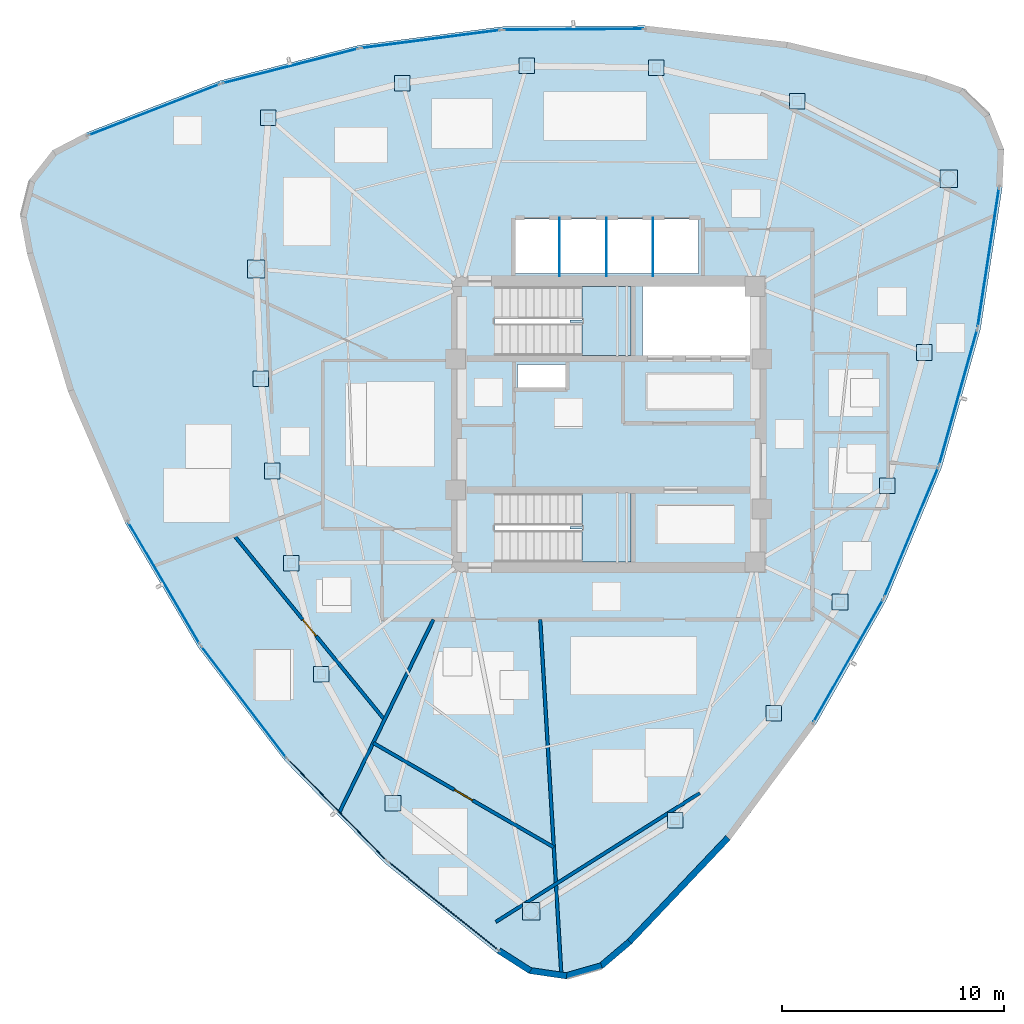
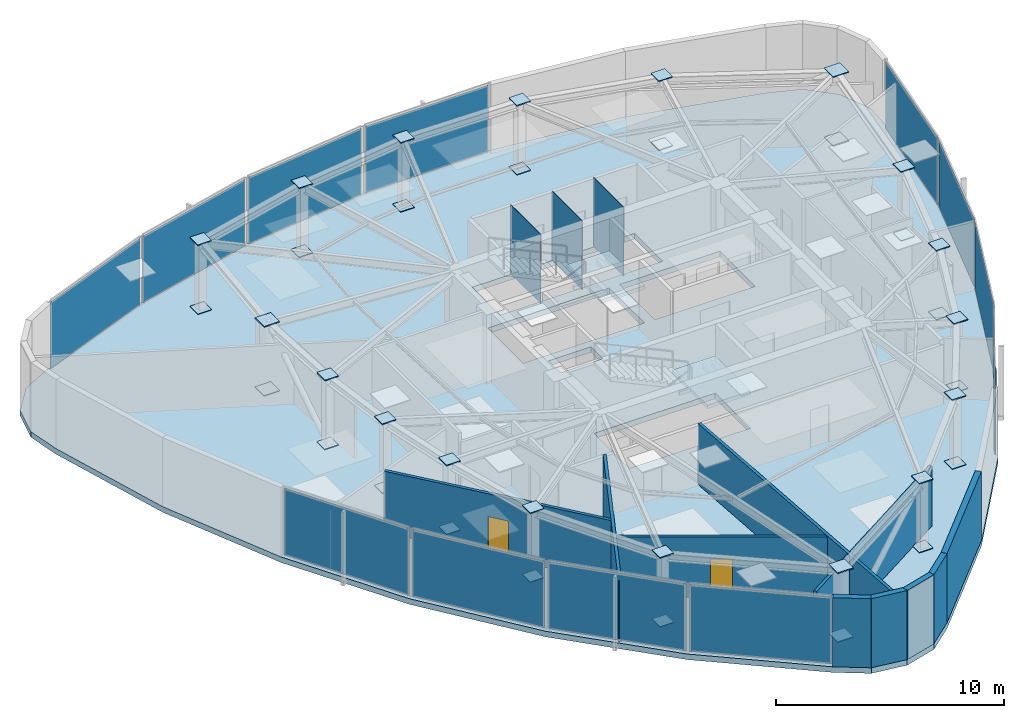
# One storey, part 7 of 11: 51 plates, 10 walls, 3 slabs, 2 doors, 2 openings, 14 elements without a shape of their own.
"""IFC4 building model written with IfcOpenShell, lengths in metres."""

from ifc_helpers import new_model, si_unit, direction, frame, frame_2d, origin, origin_2d, place, context, subcontext, project, spatial, polyline, rectangle, outline, extrude, source, transform, mapped, material, layer, layer_set, type_object, type_shapes, element, fill, aggregate, save


model = new_model("IFC4")

# Units and contexts
model_context = context("Model", 3, precision=1e-05, world=origin(), true_north=direction((0.0, 1.0)))
body_context = subcontext(model_context, "Body", "Model", "MODEL_VIEW")
ifc_project = project(units=[si_unit("LENGTHUNIT", "METRE"), si_unit("AREAUNIT", "SQUARE_METRE"), si_unit("VOLUMEUNIT", "CUBIC_METRE"), si_unit("PLANEANGLEUNIT", "RADIAN"), si_unit("MASSUNIT", "GRAM", prefix="KILO")], contexts=[model_context])

# Site, building, storey
site_placement = place(None, origin())
site = spatial("IfcSite", under=ifc_project, at=site_placement, CompositionType="ELEMENT")
building_placement = place(site_placement, origin())
building = spatial("IfcBuilding", under=site, at=building_placement, Name="Tavelor Broadcast Tower", CompositionType="ELEMENT")
storey_placement = place(building_placement, frame((0.0, 0.0, 313.5)))
storey = spatial("IfcBuildingStorey", under=building, at=storey_placement, Name="L75", CompositionType="ELEMENT", Elevation=313.5)

# Stair, slab
ifc_material_1 = material(Name="Concrete C40/50", Category="concrete")
stair_type = type_object("IfcStairType", Name="Reinforced Concrete Protected Dogleg Stair 1450 mm", PredefinedType="HALF_TURN_STAIR", material=ifc_material_1)
stair_1_placement = place(storey_placement, origin())
stair_1 = element("IfcStair", 1, at=stair_1_placement, inside=storey, type_object=stair_type, Name="L75 Protected Core Exit Stair ST1", PredefinedType="HALF_TURN_STAIR")
ifc_layer_1 = layer(ifc_material_1, 0.199951171875)
ifc_layer_set_1 = layer_set([ifc_layer_1], Name="Concrete C40/50")
slab_type_1 = type_object("IfcSlabType", Name="Reinforced Concrete Stair Half-Landing Slab 200 mm", PredefinedType="LANDING", material=ifc_layer_set_1)
slab_1_placement = place(storey_placement, frame((0.0, 0.0, 1.800048828125)))
slab_1 = element("IfcSlab", 2, at=slab_1_placement, type_object=slab_type_1, Name="ST1 landing 1", PredefinedType="LANDING", context=body_context, shape_type="SweptSolid", body=[
    extrude(outline(polyline([(48.804931640625, 49.590087890625), (48.804931640625, 48.094970703125), (51.0048828125, 48.094970703125), (51.0048828125, 51.205078125), (48.804931640625, 51.205078125), (48.804931640625, 49.7099609375), (48.264892578125, 49.7099609375), (48.264892578125, 49.590087890625), (48.804931640625, 49.590087890625)])), origin(), (0.0, 0.0, 1.0), 0.199951171875),
])
aggregate(stair_1, [slab_1])

stair_2_placement = place(storey_placement, origin())
stair_2 = element("IfcStair", 3, at=stair_2_placement, inside=storey, type_object=stair_type, Name="L75 Protected Core Exit Stair ST2", PredefinedType="HALF_TURN_STAIR")
slab_2_placement = place(storey_placement, frame((0.0, 0.0, 1.800048828125)))
slab_2 = element("IfcSlab", 4, at=slab_2_placement, type_object=slab_type_1, Name="ST2 landing 1", PredefinedType="LANDING", context=body_context, shape_type="SweptSolid", body=[
    extrude(outline(polyline([(48.804931640625, 40.2900390625), (48.804931640625, 38.794921875), (51.0048828125, 38.794921875), (51.0048828125, 41.905029296875), (48.804931640625, 41.905029296875), (48.804931640625, 40.409912109375), (48.264892578125, 40.409912109375), (48.264892578125, 40.2900390625), (48.804931640625, 40.2900390625)])), origin(), (0.0, 0.0, 1.0), 0.199951171875),
])
aggregate(stair_2, [slab_2])

# Slab
ifc_layer_2 = layer(ifc_material_1, 0.300048828125)
ifc_layer_set_2 = layer_set([ifc_layer_2], Name="Concrete C40/50")
slab_type_2 = type_object("IfcSlabType", Name="Tower Composite Floor Slab 300 mm", PredefinedType="FLOOR", material=ifc_layer_set_2)
slab_3_placement = place(storey_placement, frame((0.0, 0.0, -0.300048828125)))
element("IfcSlab", 5, at=slab_3_placement, inside=storey, type_object=slab_type_2, Name="L75 Structural Floor Slab", PredefinedType="FLOOR", context=body_context, shape_type="SweptSolid", body=[
    extrude(outline(polyline([(26.484619140625, 58.1259765625), (24.977783203125, 57.34326171875), (23.926513671875, 56.009765625), (23.51708984375, 54.36181640625), (23.822021484375, 52.691162109375), (25.660400390625, 46.494873046875), (28.235107421875, 40.56640625), (31.508056640625, 34.992919921875), (35.431396484375, 29.856689453125), (39.94775390625, 25.23291015625), (44.990234375, 21.189697265625), (46.421630859375, 20.276123046875), (48.10205078125, 20.032470703125), (49.73388671875, 20.501953125), (51.028076171875, 21.601318359375), (55.475341796875, 26.29150390625), (59.322265625, 31.4853515625), (62.51220703125, 37.106689453125), (64.998779296875, 43.072509765625), (66.744873046875, 49.295654296875), (67.72509765625, 55.68408203125), (67.80078125, 57.380615234375), (67.17138671875, 58.9580078125), (65.948974609375, 60.136474609375), (64.349609375, 60.70751953125), (58.064208984375, 62.213623046875), (51.642822265625, 62.9482421875), (45.1796875, 62.900390625), (38.769775390625, 62.070556640625), (32.50732421875, 60.47119140625), (26.484619140625, 58.1259765625)]), holes=[polyline([(50.99609375, 41.89599609375), (50.99609375, 38.803955078125), (44.85400390625, 38.803955078125), (44.85400390625, 41.89599609375), (50.99609375, 41.89599609375)]), polyline([(48.050048828125, 47.699951171875), (48.050048828125, 46.64990234375), (45.89990234375, 46.64990234375), (45.89990234375, 47.699951171875), (48.050048828125, 47.699951171875)]), polyline([(50.99609375, 51.196044921875), (50.99609375, 48.10400390625), (44.85400390625, 48.10400390625), (44.85400390625, 51.196044921875), (50.99609375, 51.196044921875)]), polyline([(56.60009765625, 48.10009765625), (51.52001953125, 48.10009765625), (51.52001953125, 51.199951171875), (56.60009765625, 51.199951171875), (56.60009765625, 48.10009765625)]), polyline([(54.050048828125, 51.800048828125), (45.800048828125, 51.800048828125), (45.800048828125, 54.25), (54.050048828125, 54.25), (54.050048828125, 51.800048828125)])]), origin(), (0.0, 0.0, 1.0), 0.300048828125),
])

# Plates
ifc_material_2 = material(Name="Steel S460", Category="steel")
ifc_layer_3 = layer(ifc_material_2, 0.050048828125)
ifc_layer_set_3 = layer_set([ifc_layer_3], Name="Steel S460")
plate_type_1 = type_object("IfcPlateType", Name="Tube Hollow-End Cap Plate KN05 700x700x50", PredefinedType="USERDEFINED", material=ifc_layer_set_3)
shared_shape_1 = source(origin(), body_context, "Body", "SweptSolid", [
    extrude(rectangle(XDim=0.699951171875, YDim=0.699951171875, at=origin_2d()), origin(), (0.0, 0.0, 1.0), 0.054931640625),
])
for number, where, z_axis, x_axis, name in (
    (6, (34.341552734375, 47.061279296875, -0.02734375), (0.0, 0.0, 1.0), (1.0, 0.0, 0.0), "L75 Hollow End Cap Plate KN05 #2283"),
    (7, (34.341552734375, 47.061279296875, 3.67236328125), (0.0, 0.0, 1.0), (1.0, 0.0, 0.0), "L75 Hollow End Cap Plate KN05 #2284"),
    (8, (34.85400390625, 42.90185546875, -0.02734375), (0.0, 0.0, 1.0), (1.0, 0.0, 0.0), "L75 Hollow End Cap Plate KN05 #2285"),
    (9, (34.85400390625, 42.90185546875, 3.67236328125), (0.0, 0.0, 1.0), (1.0, 0.0, 0.0), "L75 Hollow End Cap Plate KN05 #2286"),
    (10, (35.716552734375, 38.757080078125, -0.02734375), (0.0, 0.0, 1.0), (1.0, 0.0, 0.0), "L75 Hollow End Cap Plate KN05 #2287"),
    (11, (35.716552734375, 38.757080078125, 3.67236328125), (0.0, 0.0, 1.0), (1.0, 0.0, 0.0), "L75 Hollow End Cap Plate KN05 #2288"),
    (12, (37.068115234375, 33.759521484375, -0.02734375), (0.0, 0.0, 1.0), (1.0, 0.0, 0.0), "L75 Hollow End Cap Plate KN05 #2289"),
    (13, (37.068115234375, 33.759521484375, 3.67236328125), (0.0, 0.0, 1.0), (1.0, 0.0, 0.0), "L75 Hollow End Cap Plate KN05 #2290"),
    (14, (40.29638671875, 27.95361328125, -0.02734375), (0.0, 0.0, 1.0), (1.0, 0.0, 0.0), "L75 Hollow End Cap Plate KN05 #2291"),
    (15, (40.29638671875, 27.95361328125, 3.67236328125), (0.0, 0.0, 1.0), (1.0, 0.0, 0.0), "L75 Hollow End Cap Plate KN05 #2292"),
    (16, (52.992919921875, 27.1767578125, -0.02734375), (0.0, 0.0, 1.0), (1.0, 0.0, 0.0), "L75 Hollow End Cap Plate KN05 #2295"),
    (17, (52.992919921875, 27.1767578125, 3.67236328125), (0.0, 0.0, 1.0), (1.0, 0.0, 0.0), "L75 Hollow End Cap Plate KN05 #2296"),
    (18, (57.431396484375, 31.9921875, -0.02734375), (0.0, 0.0, 1.0), (1.0, 0.0, 0.0), "L75 Hollow End Cap Plate KN05 #2297"),
    (19, (57.431396484375, 31.9921875, 3.67236328125), (0.0, 0.0, 1.0), (1.0, 0.0, 0.0), "L75 Hollow End Cap Plate KN05 #2298"),
    (20, (60.41748046875, 37.00439453125, -0.02734375), (0.0, 0.0, 1.0), (1.0, 0.0, 0.0), "L75 Hollow End Cap Plate KN05 #2299"),
    (21, (60.41748046875, 37.00439453125, 3.67236328125), (0.0, 0.0, 1.0), (1.0, 0.0, 0.0), "L75 Hollow End Cap Plate KN05 #2300"),
    (22, (62.543701171875, 42.240478515625, -0.02734375), (0.0, 0.0, 1.0), (1.0, 0.0, 0.0), "L75 Hollow End Cap Plate KN05 #2301"),
    (23, (62.543701171875, 42.240478515625, 3.67236328125), (0.0, 0.0, 1.0), (1.0, 0.0, 0.0), "L75 Hollow End Cap Plate KN05 #2302"),
    (24, (64.21435546875, 48.2373046875, -0.02734375), (0.0, 0.0, 1.0), (1.0, 0.0, 0.0), "L75 Hollow End Cap Plate KN05 #2303"),
    (25, (64.21435546875, 48.2373046875, 3.67236328125), (0.0, 0.0, 1.0), (1.0, 0.0, 0.0), "L75 Hollow End Cap Plate KN05 #2304"),
    (26, (58.485595703125, 59.55712890625, -0.02734375), (0.0, 0.0, 1.0), (1.0, 0.0, 0.0), "L75 Hollow End Cap Plate KN05 #2307"),
    (27, (58.485595703125, 59.55712890625, 3.67236328125), (0.0, 0.0, 1.0), (1.0, 0.0, 0.0), "L75 Hollow End Cap Plate KN05 #2308"),
    (28, (52.147216796875, 61.05078125, -0.02734375), (0.0, 0.0, 1.0), (1.0, 0.0, 0.0), "L75 Hollow End Cap Plate KN05 #2309"),
    (29, (52.147216796875, 61.05078125, 3.67236328125), (0.0, 0.0, 1.0), (1.0, 0.0, 0.0), "L75 Hollow End Cap Plate KN05 #2310"),
    (30, (46.3154296875, 61.13720703125, -0.02734375), (0.0, 0.0, 1.0), (1.0, 0.0, 0.0), "L75 Hollow End Cap Plate KN05 #2311"),
    (31, (46.3154296875, 61.13720703125, 3.67236328125), (0.0, 0.0, 1.0), (1.0, 0.0, 0.0), "L75 Hollow End Cap Plate KN05 #2312"),
    (32, (40.718017578125, 60.36083984375, -0.02734375), (0.0, 0.0, 1.0), (1.0, 0.0, 0.0), "L75 Hollow End Cap Plate KN05 #2313"),
    (33, (40.718017578125, 60.36083984375, 3.67236328125), (0.0, 0.0, 1.0), (1.0, 0.0, 0.0), "L75 Hollow End Cap Plate KN05 #2314"),
    (34, (34.689208984375, 58.80908203125, -0.02734375), (0.0, 0.0, 1.0), (1.0, 0.0, 0.0), "L75 Hollow End Cap Plate KN05 #2315"),
    (35, (34.689208984375, 58.80908203125, 3.67236328125), (0.0, 0.0, 1.0), (1.0, 0.0, 0.0), "L75 Hollow End Cap Plate KN05 #2316"),
):
    element("IfcPlate", number, at=place(storey_placement, frame(where, z_axis=z_axis, x_axis=x_axis)), inside=storey, type_object=plate_type_1, Name=name, ObjectType="CAP PLATE", PredefinedType="USERDEFINED", context=body_context, shape_type="MappedRepresentation", body=[
        mapped(shared_shape_1, transform((0.0, 0.0, 0.0), scale=1.0)),
    ])
shared_shape_2 = source(origin(), body_context, "Body", "SweptSolid", [
    extrude(rectangle(XDim=0.791015625, YDim=0.791015625, at=origin_2d()), origin(), (0.0, 0.0, 1.0), 0.054931640625),
])
type_shapes(plate_type_1, [shared_shape_1, shared_shape_2])
for number, where, z_axis, x_axis, name in (
    (36, (34.134765625, 51.995849609375, -0.02734375), (0.0, 0.0, 1.0), (1.0, 0.0, 0.0), "L75 Hollow End Cap Plate KN05 #2281"),
    (37, (34.134765625, 51.995849609375, 3.67236328125), (0.0, 0.0, 1.0), (1.0, 0.0, 0.0), "L75 Hollow End Cap Plate KN05 #2282"),
    (38, (46.5146484375, 23.08740234375, -0.02734375), (0.0, 0.0, 1.0), (1.0, 0.0, 0.0), "L75 Hollow End Cap Plate KN05 #2293"),
    (39, (46.5146484375, 23.08740234375, 3.67236328125), (0.0, 0.0, 1.0), (1.0, 0.0, 0.0), "L75 Hollow End Cap Plate KN05 #2294"),
    (40, (65.319580078125, 56.0556640625, -0.02734375), (0.0, 0.0, 1.0), (1.0, 0.0, 0.0), "L75 Hollow End Cap Plate KN05 #2305"),
    (41, (65.319580078125, 56.0556640625, 3.67236328125), (0.0, 0.0, 1.0), (1.0, 0.0, 0.0), "L75 Hollow End Cap Plate KN05 #2306"),
):
    element("IfcPlate", number, at=place(storey_placement, frame(where, z_axis=z_axis, x_axis=x_axis)), inside=storey, type_object=plate_type_1, Name=name, ObjectType="CAP PLATE", PredefinedType="USERDEFINED", context=body_context, shape_type="MappedRepresentation", body=[
        mapped(shared_shape_2, transform((0.0, 0.0, 0.0), scale=1.0)),
    ])
ifc_material_3 = material(Name="Steel S355", Category="steel")
ifc_layer_4 = layer(ifc_material_3, 0.011962890625)
ifc_layer_set_4 = layer_set([ifc_layer_4], Name="Steel S355")
plate_type_2 = type_object("IfcPlateType", Name="Hoistway Steel Separator Screen 12 mm", PredefinedType="SHEET", material=ifc_layer_set_4)
shared_shape_3 = source(origin(), body_context, "Body", "SweptSolid", [
    extrude(rectangle(XDim=0.02001953125, YDim=2.6201171875, at=origin_2d()), origin(), (0.0, 0.0, 1.0), 3.699951171875),
])
type_shapes(plate_type_2, [shared_shape_3])
for number, where, z_axis, x_axis, name in (
    (42, (47.800048828125, 52.989990234375, 0.0), (0.0, 0.0, 1.0), (1.0, 0.0, 0.0), "L75 High-Rise Hoistway Separator Screen 1"),
    (43, (49.89990234375, 52.989990234375, 0.0), (0.0, 0.0, 1.0), (1.0, 0.0, 0.0), "L75 High-Rise Hoistway Separator Screen 2"),
    (44, (52.0, 52.989990234375, 0.0), (0.0, 0.0, 1.0), (1.0, 0.0, 0.0), "L75 High-Rise Hoistway Separator Screen 3"),
):
    element("IfcPlate", number, at=place(storey_placement, frame(where, z_axis=z_axis, x_axis=x_axis)), inside=storey, type_object=plate_type_2, Name=name, PredefinedType="SHEET", context=body_context, shape_type="MappedRepresentation", body=[
        mapped(shared_shape_3, transform((0.0, 0.0, 0.0), scale=1.0)),
    ])

# Curtain wall, plate
ifc_material_4 = material(Name="Architectural Anodized Aluminium", Category="aluminium")
ifc_layer_5 = layer(ifc_material_4, 0.199951171875)
ifc_layer_set_5 = layer_set([ifc_layer_5], Name="Architectural Anodized Aluminium")
curtain_wall_type = type_object("IfcCurtainWallType", Name="Tower High-Zone Triple-Glazed Curtain Wall CW04", PredefinedType="NOTDEFINED", material=ifc_layer_set_5)
curtain_wall_1_placement = place(storey_placement, origin())
curtain_wall_1 = element("IfcCurtainWall", 45, at=curtain_wall_1_placement, inside=storey, type_object=curtain_wall_type, Name="L75 Curtain Wall CW04 Run 829", PredefinedType="NOTDEFINED")
ifc_material_5 = material(Name="High-Altitude Triple Glazing 36 mm", Category="glass")
ifc_layer_6 = layer(ifc_material_5, 0.035888671875)
ifc_layer_set_6 = layer_set([ifc_layer_6], Name="High-Altitude Triple Glazing 36 mm")
plate_type_3 = type_object("IfcPlateType", Name="CW04 Insulated Vision Glazing Panel 36 mm", PredefinedType="CURTAIN_PANEL", material=ifc_layer_set_6)
shared_shape_4 = source(origin(), body_context, "Body", "SweptSolid", [
    extrude(rectangle(XDim=6.291259765625, YDim=0.035888671875, at=origin_2d()), origin(), (0.0, 0.0, 1.0), 3.56005859375),
])
plate_1_placement = place(storey_placement, frame((29.98828125, 37.85693359375, 0.070068359375), z_axis=(0.0, 0.0, 1.0), x_axis=(0.506398915437, -0.862299332276, 0.0)))
plate_1 = element("IfcPlate", 46, at=plate_1_placement, type_object=plate_type_3, Name="CW04 panel 1.1", PredefinedType="CURTAIN_PANEL", context=body_context, shape_type="MappedRepresentation", body=[
    mapped(shared_shape_4, transform((0.0, 0.0, 0.0), scale=1.0)),
])
aggregate(curtain_wall_1, [plate_1])

curtain_wall_2_placement = place(storey_placement, origin())
curtain_wall_2 = element("IfcCurtainWall", 47, at=curtain_wall_2_placement, inside=storey, type_object=curtain_wall_type, Name="L75 Curtain Wall CW04 Run 837", PredefinedType="NOTDEFINED")
plate_2_placement = place(storey_placement, frame((48.419921875, 62.7841796875, 0.070068359375), z_axis=(0.0, 0.0, 1.0), x_axis=(-0.999972610631, -0.00740121536, 0.0)))
plate_2 = element("IfcPlate", 48, at=plate_2_placement, type_object=plate_type_3, Name="CW04 panel 1.1", PredefinedType="CURTAIN_PANEL", context=body_context, shape_type="MappedRepresentation", body=[
    mapped(shared_shape_4, transform((0.0, 0.0, 0.0), scale=1.0)),
])
aggregate(curtain_wall_2, [plate_2])

curtain_wall_3_placement = place(storey_placement, origin())
curtain_wall_3 = element("IfcCurtainWall", 49, at=curtain_wall_3_placement, inside=storey, type_object=curtain_wall_type, Name="L75 Curtain Wall CW04 Run 830", PredefinedType="NOTDEFINED")
shared_shape_5 = source(origin(), body_context, "Body", "SweptSolid", [
    extrude(rectangle(XDim=6.2763671875, YDim=0.035888671875, at=origin_2d()), origin(), (0.0, 0.0, 1.0), 3.56005859375),
])
plate_3_placement = place(storey_placement, frame((33.5810546875, 32.509765625, 0.070068359375), z_axis=(0.0, 0.0, 1.0), x_axis=(0.607041036342, -0.794670485294, 0.0)))
plate_3 = element("IfcPlate", 50, at=plate_3_placement, type_object=plate_type_3, Name="CW04 panel 1.1", PredefinedType="CURTAIN_PANEL", context=body_context, shape_type="MappedRepresentation", body=[
    mapped(shared_shape_5, transform((0.0, 0.0, 0.0), scale=1.0)),
])
aggregate(curtain_wall_3, [plate_3])

curtain_wall_4_placement = place(storey_placement, origin())
curtain_wall_4 = element("IfcCurtainWall", 51, at=curtain_wall_4_placement, inside=storey, type_object=curtain_wall_type, Name="L75 Curtain Wall CW04 Run 831", PredefinedType="NOTDEFINED")
plate_4_placement = place(storey_placement, frame((37.789794921875, 27.642578125, 0.070068359375), z_axis=(0.0, 0.0, 1.0), x_axis=(0.698735257647, -0.715380346195, 0.0)))
plate_4 = element("IfcPlate", 52, at=plate_4_placement, type_object=plate_type_3, Name="CW04 panel 1.1", PredefinedType="CURTAIN_PANEL", context=body_context, shape_type="MappedRepresentation", body=[
    mapped(shared_shape_5, transform((0.0, 0.0, 0.0), scale=1.0)),
])
aggregate(curtain_wall_4, [plate_4])

curtain_wall_5_placement = place(storey_placement, origin())
curtain_wall_5 = element("IfcCurtainWall", 53, at=curtain_wall_5_placement, inside=storey, type_object=curtain_wall_type, Name="L75 Curtain Wall CW04 Run 834", PredefinedType="NOTDEFINED")
plate_5_placement = place(storey_placement, frame((63.626220703125, 40.1435546875, 0.070068359375), z_axis=(0.0, 0.0, 1.0), x_axis=(0.384693955678, 0.92304418121, 0.0)))
plate_5 = element("IfcPlate", 54, at=plate_5_placement, type_object=plate_type_3, Name="CW04 panel 1.1", PredefinedType="CURTAIN_PANEL", context=body_context, shape_type="MappedRepresentation", body=[
    mapped(shared_shape_5, transform((0.0, 0.0, 0.0), scale=1.0)),
])
aggregate(curtain_wall_5, [plate_5])

curtain_wall_6_placement = place(storey_placement, origin())
curtain_wall_6 = element("IfcCurtainWall", 55, at=curtain_wall_6_placement, inside=storey, type_object=curtain_wall_type, Name="L75 Curtain Wall CW04 Run 835", PredefinedType="NOTDEFINED")
plate_6_placement = place(storey_placement, frame((65.737060546875, 46.221923828125, 0.070068359375), z_axis=(0.0, 0.0, 1.0), x_axis=(0.270166920521, 0.962813499623, 0.0)))
plate_6 = element("IfcPlate", 56, at=plate_6_placement, type_object=plate_type_3, Name="CW04 panel 1.1", PredefinedType="CURTAIN_PANEL", context=body_context, shape_type="MappedRepresentation", body=[
    mapped(shared_shape_5, transform((0.0, 0.0, 0.0), scale=1.0)),
])
aggregate(curtain_wall_6, [plate_6])

curtain_wall_7_placement = place(storey_placement, origin())
curtain_wall_7 = element("IfcCurtainWall", 57, at=curtain_wall_7_placement, inside=storey, type_object=curtain_wall_type, Name="L75 Curtain Wall CW04 Run 838", PredefinedType="NOTDEFINED")
plate_7_placement = place(storey_placement, frame((41.99267578125, 62.3466796875, 0.070068359375), z_axis=(0.0, 0.0, 1.0), x_axis=(-0.991727765341, -0.128359025597, 0.0)))
plate_7 = element("IfcPlate", 58, at=plate_7_placement, type_object=plate_type_3, Name="CW04 panel 1.1", PredefinedType="CURTAIN_PANEL", context=body_context, shape_type="MappedRepresentation", body=[
    mapped(shared_shape_5, transform((0.0, 0.0, 0.0), scale=1.0)),
])
aggregate(curtain_wall_7, [plate_7])

curtain_wall_8_placement = place(storey_placement, origin())
curtain_wall_8 = element("IfcCurtainWall", 59, at=curtain_wall_8_placement, inside=storey, type_object=curtain_wall_type, Name="L75 Curtain Wall CW04 Run 839", PredefinedType="NOTDEFINED")
plate_8_placement = place(storey_placement, frame((35.67333984375, 61.13525390625, 0.070068359375), z_axis=(0.0, 0.0, 1.0), x_axis=(-0.968906264222, -0.247428072682, 0.0)))
plate_8 = element("IfcPlate", 60, at=plate_8_placement, type_object=plate_type_3, Name="CW04 panel 1.1", PredefinedType="CURTAIN_PANEL", context=body_context, shape_type="MappedRepresentation", body=[
    mapped(shared_shape_5, transform((0.0, 0.0, 0.0), scale=1.0)),
])
aggregate(curtain_wall_8, [plate_8])

curtain_wall_9_placement = place(storey_placement, origin())
curtain_wall_9 = element("IfcCurtainWall", 61, at=curtain_wall_9_placement, inside=storey, type_object=curtain_wall_type, Name="L75 Curtain Wall CW04 Run 832", PredefinedType="NOTDEFINED")
shared_shape_6 = source(origin(), body_context, "Body", "SweptSolid", [
    extrude(rectangle(XDim=6.292236328125, YDim=0.035888671875, at=origin_2d()), origin(), (0.0, 0.0, 1.0), 3.56005859375),
])
plate_9_placement = place(storey_placement, frame((42.562744140625, 23.3154296875, 0.070068359375), z_axis=(0.0, 0.0, 1.0), x_axis=(0.780166072819, -0.625572456893, 0.0)))
plate_9 = element("IfcPlate", 62, at=plate_9_placement, type_object=plate_type_3, Name="CW04 panel 1.1", PredefinedType="CURTAIN_PANEL", context=body_context, shape_type="MappedRepresentation", body=[
    mapped(shared_shape_6, transform((0.0, 0.0, 0.0), scale=1.0)),
])
aggregate(curtain_wall_9, [plate_9])

curtain_wall_10_placement = place(storey_placement, origin())
curtain_wall_10 = element("IfcCurtainWall", 63, at=curtain_wall_10_placement, inside=storey, type_object=curtain_wall_type, Name="L75 Curtain Wall CW04 Run 836", PredefinedType="NOTDEFINED")
plate_10_placement = place(storey_placement, frame((67.097900390625, 52.51904296875, 0.070068359375), z_axis=(0.0, 0.0, 1.0), x_axis=(0.151673986151, 0.988430575167, 0.0)))
plate_10 = element("IfcPlate", 64, at=plate_10_placement, type_object=plate_type_3, Name="CW04 panel 1.1", PredefinedType="CURTAIN_PANEL", context=body_context, shape_type="MappedRepresentation", body=[
    mapped(shared_shape_6, transform((0.0, 0.0, 0.0), scale=1.0)),
])
aggregate(curtain_wall_10, [plate_10])

curtain_wall_11_placement = place(storey_placement, origin())
curtain_wall_11 = element("IfcCurtainWall", 65, at=curtain_wall_11_placement, inside=storey, type_object=curtain_wall_type, Name="L75 Curtain Wall CW04 Run 840", PredefinedType="NOTDEFINED")
plate_11_placement = place(storey_placement, frame((29.539306640625, 59.165283203125, 0.070068359375), z_axis=(0.0, 0.0, 1.0), x_axis=(-0.931844989339, -0.362856605071, 0.0)))
plate_11 = element("IfcPlate", 66, at=plate_11_placement, type_object=plate_type_3, Name="CW04 panel 1.1", PredefinedType="CURTAIN_PANEL", context=body_context, shape_type="MappedRepresentation", body=[
    mapped(shared_shape_6, transform((0.0, 0.0, 0.0), scale=1.0)),
])
aggregate(curtain_wall_11, [plate_11])

curtain_wall_12_placement = place(storey_placement, origin())
curtain_wall_12 = element("IfcCurtainWall", 67, at=curtain_wall_12_placement, inside=storey, type_object=curtain_wall_type, Name="L75 Curtain Wall CW04 Run 833", PredefinedType="NOTDEFINED")
shared_shape_7 = source(origin(), body_context, "Body", "SweptSolid", [
    extrude(rectangle(XDim=6.29150390625, YDim=0.035888671875, at=origin_2d()), origin(), (0.0, 0.0, 1.0), 3.56005859375),
])
type_shapes(plate_type_3, [shared_shape_4, shared_shape_5, shared_shape_6, shared_shape_7])
plate_12_placement = place(storey_placement, frame((60.791748046875, 34.358642578125, 0.070068359375), z_axis=(0.0, 0.0, 1.0), x_axis=(0.493559749142, 0.869711891391, 0.0)))
plate_12 = element("IfcPlate", 68, at=plate_12_placement, type_object=plate_type_3, Name="CW04 panel 1.1", PredefinedType="CURTAIN_PANEL", context=body_context, shape_type="MappedRepresentation", body=[
    mapped(shared_shape_7, transform((0.0, 0.0, 0.0), scale=1.0)),
])
aggregate(curtain_wall_12, [plate_12])

# Walls
ifc_material_6 = material(Name="Precast Concrete C40/50", Category="concrete")
ifc_layer_7 = layer(ifc_material_6, 0.280029296875)
ifc_layer_set_7 = layer_set([ifc_layer_7], Name="Precast Concrete C40/50")
wall_type_1 = type_object("IfcWallType", Name="Insulated Precast Terracotta Facade Wall 280 mm", PredefinedType="STANDARD", material=ifc_layer_set_7)
wall_1_placement = place(storey_placement, frame((45.068603515625, 21.305908203125, 0.0), z_axis=(0.0, 0.0, 1.0), x_axis=(0.842912389634, -0.538050837191, 0.0)))
element("IfcWall", 69, at=wall_1_placement, inside=storey, type_object=wall_type_1, Name="L75 Rounded Corner Structural Cladding Pier 11", PredefinedType="STANDARD", context=body_context, shape_type="SweptSolid", body=[
    extrude(rectangle(XDim=1.679443359375, YDim=0.280029296875, at=frame_2d((0.83984375, 0.0))), origin(), (0.0, 0.0, 1.0), 3.699951171875),
])
for number, where, z_axis, x_axis, name in (
    (70, (46.456787109375, 20.41259765625, 0.0), (0.0, 0.0, 1.0), (0.989633778177, -0.143614014259, 0.0), "L75 Rounded Corner Structural Cladding Pier 12"),
    (71, (48.077880859375, 20.171142578125, 0.0), (0.0, 0.0, 1.0), (0.961008542805, 0.276518680481, 0.0), "L75 Rounded Corner Structural Cladding Pier 13"),
):
    element("IfcWall", number, at=place(storey_placement, frame(where, z_axis=z_axis, x_axis=x_axis)), inside=storey, type_object=wall_type_1, Name=name, PredefinedType="STANDARD", context=body_context, shape_type="SweptSolid", body=[
        extrude(rectangle(XDim=1.667724609375, YDim=0.280029296875, at=frame_2d((0.833984375, 0.0))), origin(), (0.0, 0.0, 1.0), 3.699951171875),
    ])
wall_2_placement = place(storey_placement, frame((49.65478515625, 20.618408203125, 0.0), z_axis=(0.0, 0.0, 1.0), x_axis=(0.762113895829, 0.647442978018, 0.0)))
element("IfcWall", 72, at=wall_2_placement, inside=storey, type_object=wall_type_1, Name="L75 Rounded Corner Structural Cladding Pier 14", PredefinedType="STANDARD", context=body_context, shape_type="SweptSolid", body=[
    extrude(rectangle(XDim=1.6904296875, YDim=0.280029296875, at=frame_2d((0.84521484375, 0.0))), origin(), (0.0, 0.0, 1.0), 3.699951171875),
])
wall_3_placement = place(storey_placement, frame((50.92138671875, 21.6923828125, 0.0), z_axis=(0.0, 0.0, 1.0), x_axis=(0.688067630598, 0.725646563916, 0.0)))
element("IfcWall", 73, at=wall_3_placement, inside=storey, type_object=wall_type_1, Name="L75 Rounded Corner Structural Cladding Pier 15", PredefinedType="STANDARD", context=body_context, shape_type="SweptSolid", body=[
    extrude(rectangle(XDim=6.477294921875, YDim=0.280029296875, at=frame_2d((3.23876953125, 0.0))), origin(), (0.0, 0.0, 1.0), 3.699951171875),
])
ifc_material_7 = material(Name="Gypsum Acoustic Plasterboard 150 mm", Category="gypsum")
ifc_layer_8 = layer(ifc_material_7, 0.14990234375)
ifc_layer_set_8 = layer_set([ifc_layer_8], Name="Gypsum Acoustic Plasterboard 150 mm")
wall_type_2 = type_object("IfcWallType", Name="Interior Acoustic Partition Wall 150 mm", PredefinedType="PARTITIONING", material=ifc_layer_set_8)
wall_4_placement = place(storey_placement, frame((44.9267578125, 22.60546875, 0.0), z_axis=(0.0, 0.0, 1.0), x_axis=(0.845624548895, 0.533778158326, 0.0)))
element("IfcWall", 74, at=wall_4_placement, inside=storey, type_object=wall_type_2, Name="L75 Corner Tube Brace Furring Wall 2", PredefinedType="PARTITIONING", context=body_context, shape_type="SweptSolid", body=[
    extrude(rectangle(XDim=10.861083984375, YDim=0.14990234375, at=frame_2d((5.4306640625, 0.0))), origin(), (0.0, 0.0, 1.0), 3.22509765625),
])
wall_5_placement = place(storey_placement, frame((42.11767578125, 36.219970703125, 0.0), z_axis=(0.0, 0.0, 1.0), x_axis=(-0.438359420215, -0.898799765637, 0.0)))
element("IfcWall", 75, at=wall_5_placement, inside=storey, type_object=wall_type_2, Name="L75 Radial Compartment Wall 01", PredefinedType="PARTITIONING", context=body_context, shape_type="SweptSolid", body=[
    extrude(rectangle(XDim=9.66357421875, YDim=0.14990234375, at=frame_2d((4.831787109375, 0.0))), origin(), (0.0, 0.0, 1.0), 3.27490234375),
])
wall_6_placement = place(storey_placement, frame((46.9228515625, 36.219970703125, 0.0), z_axis=(0.0, 0.0, 1.0), x_axis=(0.059454003525, -0.998231046134, 0.0)))
element("IfcWall", 76, at=wall_6_placement, inside=storey, type_object=wall_type_2, Name="L75 Radial Compartment Wall 02", PredefinedType="PARTITIONING", context=body_context, shape_type="SweptSolid", body=[
    extrude(rectangle(XDim=16.0517578125, YDim=0.14990234375, at=frame_2d((8.02587890625, 0.0))), origin(), (0.0, 0.0, 1.0), 3.27490234375),
])

# Wall, opening, door
wall_7_placement = place(storey_placement, frame((39.406494140625, 30.6611328125, 0.0), z_axis=(0.0, 0.0, 1.0), x_axis=(0.865838532645, -0.500323530715, 0.0)))
wall_7 = element("IfcWall", 77, at=wall_7_placement, inside=storey, type_object=wall_type_2, Name="L75 Suite Chord Partition Wall 01", PredefinedType="PARTITIONING", context=body_context, shape_type="SweptSolid", body=[
    extrude(rectangle(XDim=9.386474609375, YDim=0.14990234375, at=frame_2d((4.693359375, 0.0))), origin(), (0.0, 0.0, 1.0), 3.22509765625),
])
opening_1_placement = place(wall_7_placement, frame((4.21826171875, 0.0, 0.0)))
opening_1 = element("IfcOpeningElement", 78, at=opening_1_placement, cuts=wall_7, Name="Opening DR23", PredefinedType="OPENING", context=body_context, shape_type="SweptSolid", body=[
    extrude(rectangle(XDim=0.949951171875, YDim=2.050048828125, at=frame_2d((0.47509765625, 1.02490234375))), frame((0.0, 0.0849609375, 0.0), z_axis=(0.0, -1.0, 0.0), x_axis=(1.0, 0.0, 0.0)), (0.0, 0.0, 1.0), 0.169921875),
])
ifc_material_8 = material(Name="Timber Solid Core Hardwood", Category="wood")
door_type = type_object("IfcDoorType", Name="Editorial Room Acoustic Door 950x2050", OperationType="NOTDEFINED", PredefinedType="DOOR", material=ifc_material_8)
door_1_placement = place(opening_1_placement, origin())
door_1 = element("IfcDoor", 79, at=door_1_placement, inside=storey, type_object=door_type, Name="L75 Outer Suite Partition Door 1", OperationType="SINGLE_SWING_LEFT", OverallHeight=2.050048828125, OverallWidth=0.949951171875, PredefinedType="DOOR", context=body_context, shape_type="SweptSolid", body=[
    extrude(rectangle(XDim=0.949951171875, YDim=2.050048828125, at=frame_2d((0.47509765625, 1.02490234375))), frame((0.0, 0.02490234375, 0.0), z_axis=(0.0, -1.0, 0.0), x_axis=(1.0, 0.0, 0.0)), (0.0, 0.0, 1.0), 0.050048828125),
])
fill(opening_1, door_1)

wall_8_placement = place(storey_placement, frame((33.15283203125, 39.9921875, 0.0), z_axis=(0.0, 0.0, 1.0), x_axis=(0.632139709675, -0.774854429846, 0.0)))
wall_8 = element("IfcWall", 80, at=wall_8_placement, inside=storey, type_object=wall_type_2, Name="L75 Suite Chord Partition Wall 02", PredefinedType="PARTITIONING", context=body_context, shape_type="SweptSolid", body=[
    extrude(rectangle(XDim=10.697021484375, YDim=0.14990234375, at=frame_2d((5.3486328125, 0.0))), origin(), (0.0, 0.0, 1.0), 3.27490234375),
])
opening_2_placement = place(wall_8_placement, frame((4.87353515625, 0.0, 0.0)))
opening_2 = element("IfcOpeningElement", 81, at=opening_2_placement, cuts=wall_8, Name="Opening DR23", PredefinedType="OPENING", context=body_context, shape_type="SweptSolid", body=[
    extrude(rectangle(XDim=0.949951171875, YDim=2.050048828125, at=frame_2d((0.47509765625, 1.02490234375))), frame((0.0, 0.0849609375, 0.0), z_axis=(0.0, -1.0, 0.0), x_axis=(1.0, 0.0, 0.0)), (0.0, 0.0, 1.0), 0.169921875),
])
door_2_placement = place(opening_2_placement, origin())
door_2 = element("IfcDoor", 82, at=door_2_placement, inside=storey, type_object=door_type, Name="L75 Outer Suite Partition Door 2", OperationType="SINGLE_SWING_RIGHT", OverallHeight=2.050048828125, OverallWidth=0.949951171875, PredefinedType="DOOR", context=body_context, shape_type="SweptSolid", body=[
    extrude(rectangle(XDim=0.949951171875, YDim=2.050048828125, at=frame_2d((0.47509765625, 1.02490234375))), frame((0.0, 0.02490234375, 0.0), z_axis=(0.0, -1.0, 0.0), x_axis=(1.0, 0.0, 0.0)), (0.0, 0.0, 1.0), 0.050048828125),
])
fill(opening_2, door_2)

save(model, "model.ifc")
